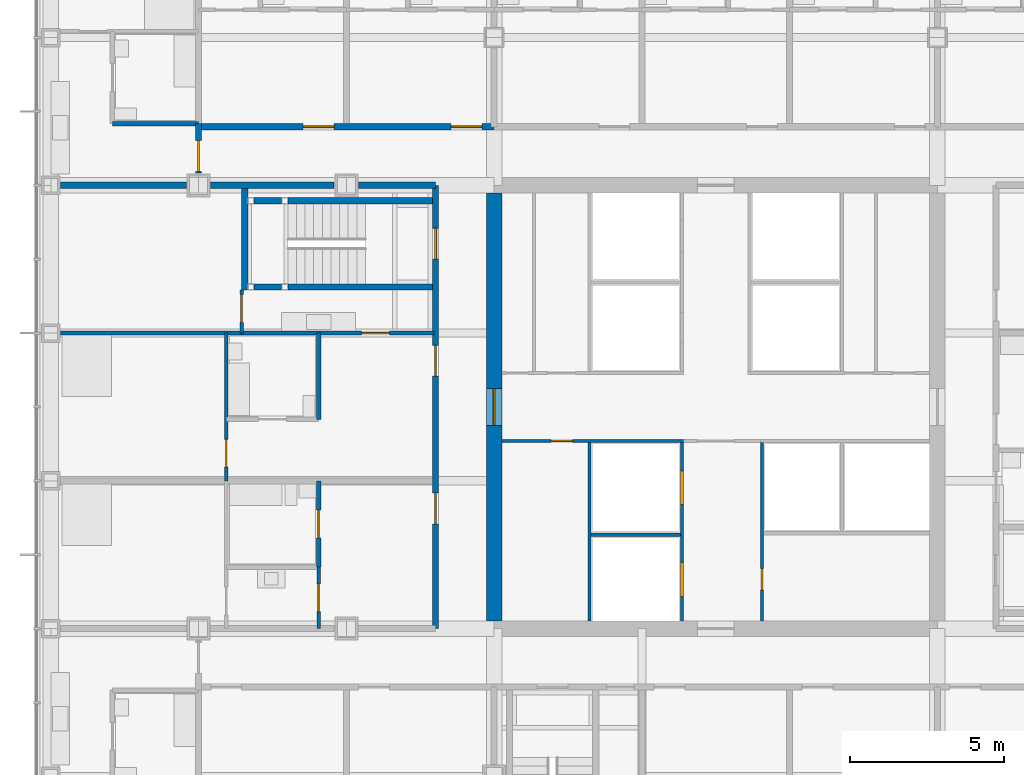
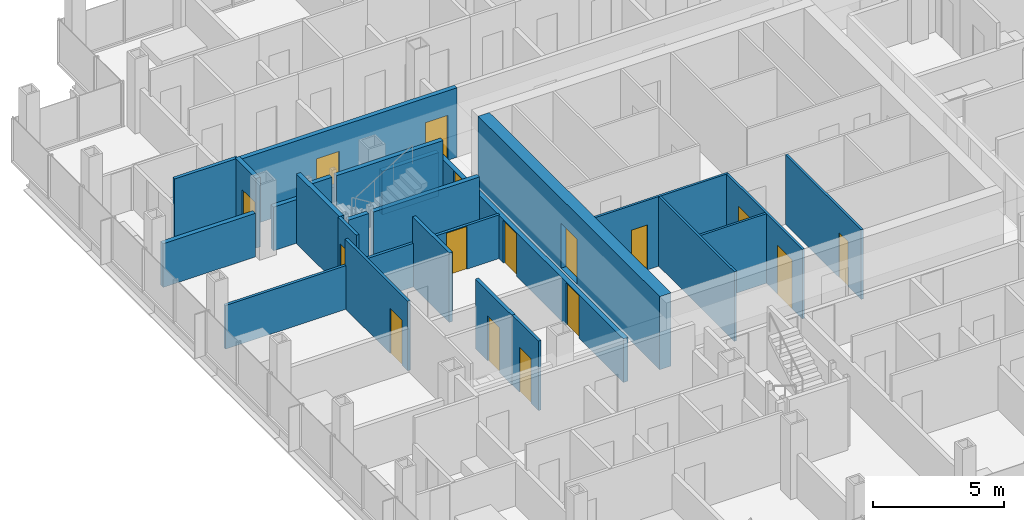
# One storey, part 15 of 22: 25 walls, 16 doors, 16 openings.
"""IFC4 building model written with IfcOpenShell, lengths in metres."""

from ifc_helpers import new_model, si_unit, direction, frame, frame_2d, origin, place, context, subcontext, project, spatial, rectangle, extrude, material, layer, layer_set, type_object, element, fill, save


model = new_model("IFC4")

# Units and contexts
model_context = context("Model", 3, precision=1e-05, world=origin(), true_north=direction((0.0, 1.0)))
body_context = subcontext(model_context, "Body", "Model", "MODEL_VIEW")
ifc_project = project(units=[si_unit("LENGTHUNIT", "METRE"), si_unit("AREAUNIT", "SQUARE_METRE"), si_unit("VOLUMEUNIT", "CUBIC_METRE"), si_unit("PLANEANGLEUNIT", "RADIAN"), si_unit("MASSUNIT", "GRAM", prefix="KILO")], contexts=[model_context])

# Site, building, storey
site_placement = place(None, origin())
site = spatial("IfcSite", under=ifc_project, at=site_placement, CompositionType="ELEMENT")
building_placement = place(site_placement, origin())
building = spatial("IfcBuilding", under=site, at=building_placement, Name="Kvirike Care Tower", CompositionType="ELEMENT")
storey_placement = place(building_placement, frame((0.0, 0.0, 76.0)))
storey = spatial("IfcBuildingStorey", under=building, at=storey_placement, Name="L20", CompositionType="ELEMENT", Elevation=76.0)

# Wall
ifc_material_1 = material(Name="Moisture-resistant board partition", Category="gypsum")
ifc_layer_1 = layer(ifc_material_1, 0.14990234375)
ifc_layer_set_1 = layer_set([ifc_layer_1], Name="BATHROOM WALL 150")
wall_type_1 = type_object("IfcWallType", Name="BATHROOM WALL 150", PredefinedType="PARTITIONING", material=ifc_layer_set_1)
wall_1_placement = place(storey_placement, frame((8.699951171875, 38.39990234375, 0.0), z_axis=(0.0, 0.0, 1.0), x_axis=(0.0, -1.0, 0.0)))
element("IfcWall", 1, at=wall_1_placement, inside=storey, type_object=wall_type_1, Name="Bathroom Wall 150 L20", PredefinedType="PARTITIONING", context=body_context, shape_type="SweptSolid", body=[
    extrude(rectangle(XDim=2.7998046875, YDim=0.14990234375, at=frame_2d((1.39990234375, 0.0))), origin(), (0.0, 0.0, 1.0), 3.25),
])

# Wall, opening, door
wall_2_placement = place(storey_placement, frame((8.699951171875, 33.60009765625, 0.0), z_axis=(0.0, 0.0, 1.0), x_axis=(0.0, -1.0, 0.0)))
wall_2 = element("IfcWall", 2, at=wall_2_placement, inside=storey, type_object=wall_type_1, Name="Bathroom Wall 150 L20", PredefinedType="PARTITIONING", context=body_context, shape_type="SweptSolid", body=[
    extrude(rectangle(XDim=2.800048828125, YDim=0.14990234375, at=frame_2d((1.39990234375, 0.0))), origin(), (0.0, 0.0, 1.0), 3.25),
])
opening_1_placement = place(wall_2_placement, frame((0.949951171875, 0.0, 0.0)))
opening_1 = element("IfcOpeningElement", 3, at=opening_1_placement, cuts=wall_2, Name="Opening 20-016", PredefinedType="OPENING", context=body_context, shape_type="SweptSolid", body=[
    extrude(rectangle(XDim=0.89990234375, YDim=2.10009765625, at=frame_2d((0.449951171875, 1.050048828125))), frame((0.0, 0.08544921875, 0.0), z_axis=(0.0, -1.0, 0.0), x_axis=(1.0, 0.0, 0.0)), (0.0, 0.0, 1.0), 0.1708984375),
])
ifc_material_2 = material(Name="Timber door set", Category="wood")
door_type_1 = type_object("IfcDoorType", Name="BATHROOM DOOR 900", OperationType="SINGLE_SWING_RIGHT", PredefinedType="DOOR", material=ifc_material_2)
door_1_placement = place(opening_1_placement, frame((0.89990234375, 0.0, 0.0), z_axis=(0.0, 0.0, 1.0), x_axis=(-1.0, 0.0, 0.0)))
door_1 = element("IfcDoor", 4, at=door_1_placement, inside=storey, type_object=door_type_1, Name="Bathroom door", OperationType="SINGLE_SWING_RIGHT", OverallHeight=2.10009765625, OverallWidth=0.89990234375, PredefinedType="DOOR", context=body_context, shape_type="SweptSolid", body=[
    extrude(rectangle(XDim=0.89990234375, YDim=2.10009765625, at=frame_2d((0.449951171875, 1.050048828125))), frame((0.0, 0.02197265625, 0.0), z_axis=(0.0, -1.0, 0.0), x_axis=(1.0, 0.0, 0.0)), (0.0, 0.0, 1.0), 0.0439453125),
])
fill(opening_1, door_1)

# Wall
wall_3_placement = place(storey_placement, frame((4.800048828125, 45.199951171875, 0.0), z_axis=(0.0, 0.0, 1.0), x_axis=(-1.0, 0.0, 0.0)))
element("IfcWall", 5, at=wall_3_placement, inside=storey, type_object=wall_type_1, Name="Bathroom Wall 150 L20", PredefinedType="PARTITIONING", context=body_context, shape_type="SweptSolid", body=[
    extrude(rectangle(XDim=2.800048828125, YDim=0.14990234375, at=frame_2d((1.39990234375, 0.0))), origin(), (0.0, 0.0, 1.0), 3.25),
])

# Wall, opening, door
ifc_material_3 = material(Name="Concrete C60/75", Category="concrete")
ifc_layer_2 = layer(ifc_material_3, 0.5)
ifc_layer_set_2 = layer_set([ifc_layer_2], Name="CORE WALL 500 C60-75")
wall_type_2 = type_object("IfcWallType", Name="CORE WALL 500 C60-75", PredefinedType="SHEAR", material=ifc_layer_set_2)
wall_4_placement = place(storey_placement, frame((14.39990234375, 42.949951171875, -0.169921875), z_axis=(0.0, 0.0, 1.0), x_axis=(0.0, -1.0, 0.0)))
wall_4 = element("IfcWall", 6, at=wall_4_placement, inside=storey, type_object=wall_type_2, Name="Core wall W L20", PredefinedType="SHEAR", context=body_context, shape_type="SweptSolid", body=[
    extrude(rectangle(XDim=13.89990234375, YDim=0.5, at=frame_2d((6.949951171875, 0.0))), origin(), (0.0, 0.0, 1.0), 3.419921875),
])
opening_2_placement = place(wall_4_placement, frame((6.35009765625, 0.0, 0.169921875)))
opening_2 = element("IfcOpeningElement", 7, at=opening_2_placement, cuts=wall_4, Name="Opening 20-099", PredefinedType="OPENING", context=body_context, shape_type="SweptSolid", body=[
    extrude(rectangle(XDim=1.199951171875, YDim=2.10009765625, at=frame_2d((0.60009765625, 1.050048828125))), frame((0.0, 0.260498046875, 0.0), z_axis=(0.0, -1.0, 0.0), x_axis=(1.0, 0.0, 0.0)), (0.0, 0.0, 1.0), 0.52099609375),
])
ifc_material_4 = material(Name="Timber door set", Category="wood")
door_type_2 = type_object("IfcDoorType", Name="CORE DOOR 1200", OperationType="SINGLE_SWING_LEFT", PredefinedType="DOOR", material=ifc_material_4)
door_2_placement = place(opening_2_placement, origin())
door_2 = element("IfcDoor", 8, at=door_2_placement, inside=storey, type_object=door_type_2, Name="Core door W L20", OperationType="SINGLE_SWING_LEFT", OverallHeight=2.10009765625, OverallWidth=1.199951171875, PredefinedType="DOOR", context=body_context, shape_type="SweptSolid", body=[
    extrude(rectangle(XDim=1.199951171875, YDim=2.10009765625, at=frame_2d((0.60009765625, 1.050048828125))), frame((0.0, 0.02685546875, 0.0), z_axis=(0.0, -1.0, 0.0), x_axis=(1.0, 0.0, 0.0)), (0.0, 0.0, 1.0), 0.053955078125),
])
fill(opening_2, door_2)

# Wall, openings, doors
ifc_material_5 = material(Name="Plasterboard corridor wall", Category="gypsum")
ifc_layer_3 = layer(ifc_material_5, 0.199951171875)
ifc_layer_set_3 = layer_set([ifc_layer_3], Name="CORRIDOR WALL 200")
wall_type_3 = type_object("IfcWallType", Name="CORRIDOR WALL 200", PredefinedType="PARTITIONING", material=ifc_layer_set_3)
wall_5_placement = place(storey_placement, frame((12.5, 43.199951171875, 0.0), z_axis=(0.0, 0.0, 1.0), x_axis=(0.0, -1.0, 0.0)))
wall_5 = element("IfcWall", 9, at=wall_5_placement, inside=storey, type_object=wall_type_3, Name="Corridor Wall 200 L20", PredefinedType="PARTITIONING", context=body_context, shape_type="SweptSolid", body=[
    extrude(rectangle(XDim=14.39990234375, YDim=0.199951171875, at=frame_2d((7.199951171875, 0.0))), origin(), (0.0, 0.0, 1.0), 2.0400390625),
])
opening_3_placement = place(wall_5_placement, frame((1.39990234375, 0.0, 0.0)))
opening_3 = element("IfcOpeningElement", 10, at=opening_3_placement, cuts=wall_5, Name="Opening 20-019", PredefinedType="OPENING", context=body_context, shape_type="SweptSolid", body=[
    extrude(rectangle(XDim=1.0, YDim=2.0, at=frame_2d((0.5, 1.0))), frame((0.0, 0.110595703125, 0.0), z_axis=(0.0, -1.0, 0.0), x_axis=(1.0, 0.0, 0.0)), (0.0, 0.0, 1.0), 0.220947265625),
])
opening_4_placement = place(wall_5_placement, frame((5.199951171875, 0.0, 0.0)))
opening_4 = element("IfcOpeningElement", 11, at=opening_4_placement, cuts=wall_5, Name="Opening 20-020", PredefinedType="OPENING", context=body_context, shape_type="SweptSolid", body=[
    extrude(rectangle(XDim=1.0, YDim=2.0, at=frame_2d((0.5, 1.0))), frame((0.0, 0.110595703125, 0.0), z_axis=(0.0, -1.0, 0.0), x_axis=(1.0, 0.0, 0.0)), (0.0, 0.0, 1.0), 0.220947265625),
])
opening_5_placement = place(wall_5_placement, frame((10.0, 0.0, 0.0)))
opening_5 = element("IfcOpeningElement", 12, at=opening_5_placement, cuts=wall_5, Name="Opening 20-021", PredefinedType="OPENING", context=body_context, shape_type="SweptSolid", body=[
    extrude(rectangle(XDim=1.0, YDim=2.0, at=frame_2d((0.5, 1.0))), frame((0.0, 0.110595703125, 0.0), z_axis=(0.0, -1.0, 0.0), x_axis=(1.0, 0.0, 0.0)), (0.0, 0.0, 1.0), 0.220947265625),
])
ifc_material_6 = material(Name="Timber door set", Category="wood")
door_type_3 = type_object("IfcDoorType", Name="FLAT ENTRANCE DOOR 1000 x 2000", OperationType="SINGLE_SWING_LEFT", PredefinedType="DOOR", material=ifc_material_6)
door_3_placement = place(opening_4_placement, frame((1.0, 0.0, 0.0), z_axis=(0.0, 0.0, 1.0), x_axis=(-1.0, 0.0, 0.0)))
door_3 = element("IfcDoor", 13, at=door_3_placement, inside=storey, type_object=door_type_3, Name="One-bedroom apartment entrance", OperationType="SINGLE_SWING_LEFT", OverallHeight=2.0, OverallWidth=1.0, PredefinedType="DOOR", context=body_context, shape_type="SweptSolid", body=[
    extrude(rectangle(XDim=1.0, YDim=2.0, at=frame_2d((0.5, 1.0))), frame((0.0, 0.02685546875, 0.0), z_axis=(0.0, -1.0, 0.0), x_axis=(1.0, 0.0, 0.0)), (0.0, 0.0, 1.0), 0.053955078125),
])
fill(opening_4, door_3)
door_4_placement = place(opening_5_placement, frame((1.0, 0.0, 0.0), z_axis=(0.0, 0.0, 1.0), x_axis=(-1.0, 0.0, 0.0)))
door_4 = element("IfcDoor", 14, at=door_4_placement, inside=storey, type_object=door_type_3, Name="Studio apartment entrance", OperationType="SINGLE_SWING_LEFT", OverallHeight=2.0, OverallWidth=1.0, PredefinedType="DOOR", context=body_context, shape_type="SweptSolid", body=[
    extrude(rectangle(XDim=1.0, YDim=2.0, at=frame_2d((0.5, 1.0))), frame((0.0, 0.02685546875, 0.0), z_axis=(0.0, -1.0, 0.0), x_axis=(1.0, 0.0, 0.0)), (0.0, 0.0, 1.0), 0.053955078125),
])
fill(opening_5, door_4)
ifc_material_7 = material(Name="Timber door set", Category="wood")
door_type_4 = type_object("IfcDoorType", Name="STAIR DOOR 1000 x 2000", OperationType="SINGLE_SWING_LEFT", PredefinedType="DOOR", material=ifc_material_7)
door_5_placement = place(opening_3_placement, frame((1.0, 0.0, 0.0), z_axis=(0.0, 0.0, 1.0), x_axis=(-1.0, 0.0, 0.0)))
door_5 = element("IfcDoor", 15, at=door_5_placement, inside=storey, type_object=door_type_4, Name="Stair 1 door", OperationType="SINGLE_SWING_RIGHT", OverallHeight=2.0, OverallWidth=1.0, PredefinedType="DOOR", context=body_context, shape_type="SweptSolid", body=[
    extrude(rectangle(XDim=1.0, YDim=2.0, at=frame_2d((0.5, 1.0))), frame((0.0, 0.031982421875, 0.0), z_axis=(0.0, -1.0, 0.0), x_axis=(1.0, 0.0, 0.0)), (0.0, 0.0, 1.0), 0.06396484375),
])
fill(opening_3, door_5)

wall_6_placement = place(storey_placement, frame((14.39990234375, 45.10009765625, 0.0), z_axis=(0.0, 0.0, 1.0), x_axis=(-1.0, 0.0, 0.0)))
wall_6 = element("IfcWall", 16, at=wall_6_placement, inside=storey, type_object=wall_type_3, Name="Corridor Wall 200 L20", PredefinedType="PARTITIONING", context=body_context, shape_type="SweptSolid", body=[
    extrude(rectangle(XDim=9.599853515625, YDim=0.199951171875, at=frame_2d((4.7998046875, 0.0))), origin(), (0.0, 0.0, 1.0), 3.25),
])
opening_6_placement = place(wall_6_placement, frame((0.39990234375, 0.0, 0.0)))
opening_6 = element("IfcOpeningElement", 17, at=opening_6_placement, cuts=wall_6, Name="Opening 20-030", PredefinedType="OPENING", context=body_context, shape_type="SweptSolid", body=[
    extrude(rectangle(XDim=1.0, YDim=2.10009765625, at=frame_2d((0.5, 1.050048828125))), frame((0.0, 0.110595703125, 0.0), z_axis=(0.0, -1.0, 0.0), x_axis=(1.0, 0.0, 0.0)), (0.0, 0.0, 1.0), 0.220947265625),
])
opening_7_placement = place(wall_6_placement, frame((5.199951171875, 0.0, 0.0)))
opening_7 = element("IfcOpeningElement", 18, at=opening_7_placement, cuts=wall_6, Name="Opening 20-031", PredefinedType="OPENING", context=body_context, shape_type="SweptSolid", body=[
    extrude(rectangle(XDim=1.0, YDim=2.10009765625, at=frame_2d((0.5, 1.050048828125))), frame((0.0, 0.110595703125, 0.0), z_axis=(0.0, -1.0, 0.0), x_axis=(1.0, 0.0, 0.0)), (0.0, 0.0, 1.0), 0.220947265625),
])
ifc_material_8 = material(Name="Timber door set", Category="wood")
door_type_5 = type_object("IfcDoorType", Name="FLAT ENTRANCE DOOR 1000", OperationType="SINGLE_SWING_LEFT", PredefinedType="DOOR", material=ifc_material_8)
door_6_placement = place(opening_6_placement, frame((1.0, 0.0, 0.0), z_axis=(0.0, 0.0, 1.0), x_axis=(-1.0, 0.0, 0.0)))
door_6 = element("IfcDoor", 19, at=door_6_placement, inside=storey, type_object=door_type_5, Name="Studio apartment entrance", OperationType="SINGLE_SWING_LEFT", OverallHeight=2.10009765625, OverallWidth=1.0, PredefinedType="DOOR", context=body_context, shape_type="SweptSolid", body=[
    extrude(rectangle(XDim=1.0, YDim=2.10009765625, at=frame_2d((0.5, 1.050048828125))), frame((0.0, 0.02685546875, 0.0), z_axis=(0.0, -1.0, 0.0), x_axis=(1.0, 0.0, 0.0)), (0.0, 0.0, 1.0), 0.053955078125),
])
fill(opening_6, door_6)
door_7_placement = place(opening_7_placement, frame((1.0, 0.0, 0.0), z_axis=(0.0, 0.0, 1.0), x_axis=(-1.0, 0.0, 0.0)))
door_7 = element("IfcDoor", 20, at=door_7_placement, inside=storey, type_object=door_type_5, Name="Studio apartment entrance", OperationType="SINGLE_SWING_LEFT", OverallHeight=2.10009765625, OverallWidth=1.0, PredefinedType="DOOR", context=body_context, shape_type="SweptSolid", body=[
    extrude(rectangle(XDim=1.0, YDim=2.10009765625, at=frame_2d((0.5, 1.050048828125))), frame((0.0, 0.02685546875, 0.0), z_axis=(0.0, -1.0, 0.0), x_axis=(1.0, 0.0, 0.0)), (0.0, 0.0, 1.0), 0.053955078125),
])
fill(opening_7, door_7)

# Wall, opening, door
wall_7_placement = place(storey_placement, frame((4.800048828125, 45.199951171875, 0.0), z_axis=(0.0, 0.0, 1.0), x_axis=(0.0, -1.0, 0.0)))
wall_7 = element("IfcWall", 21, at=wall_7_placement, inside=storey, type_object=wall_type_3, Name="Corridor Wall 200 L20", PredefinedType="PARTITIONING", context=body_context, shape_type="SweptSolid", body=[
    extrude(rectangle(XDim=1.60498046875, YDim=0.199951171875, at=frame_2d((0.802490234375, 0.0))), origin(), (0.0, 0.0, 1.0), 3.25),
])
opening_8_placement = place(wall_7_placement, frame((0.550048828125, 0.0, 0.0)))
opening_8 = element("IfcOpeningElement", 22, at=opening_8_placement, cuts=wall_7, Name="Opening 20-032", PredefinedType="OPENING", context=body_context, shape_type="SweptSolid", body=[
    extrude(rectangle(XDim=1.0, YDim=2.10009765625, at=frame_2d((0.5, 1.050048828125))), frame((0.0, 0.110595703125, 0.0), z_axis=(0.0, -1.0, 0.0), x_axis=(1.0, 0.0, 0.0)), (0.0, 0.0, 1.0), 0.220947265625),
])
door_8_placement = place(opening_8_placement, frame((1.0, 0.0, 0.0), z_axis=(0.0, 0.0, 1.0), x_axis=(-1.0, 0.0, 0.0)))
door_8 = element("IfcDoor", 23, at=door_8_placement, inside=storey, type_object=door_type_5, Name="Studio apartment entrance", OperationType="SINGLE_SWING_RIGHT", OverallHeight=2.10009765625, OverallWidth=1.0, PredefinedType="DOOR", context=body_context, shape_type="SweptSolid", body=[
    extrude(rectangle(XDim=1.0, YDim=2.10009765625, at=frame_2d((0.5, 1.050048828125))), frame((0.0, 0.02685546875, 0.0), z_axis=(0.0, -1.0, 0.0), x_axis=(1.0, 0.0, 0.0)), (0.0, 0.0, 1.0), 0.053955078125),
])
fill(opening_8, door_8)

ifc_material_9 = material(Name="Plasterboard partition", Category="gypsum")
ifc_layer_4 = layer(ifc_material_9, 0.1201171875)
ifc_layer_set_4 = layer_set([ifc_layer_4], Name="PARTITION 120")
wall_type_4 = type_object("IfcWallType", Name="PARTITION 120", PredefinedType="PARTITIONING", material=ifc_layer_set_4)
wall_8_placement = place(storey_placement, frame((6.199951171875, 38.39990234375, 0.0), z_axis=(0.0, 0.0, 1.0), x_axis=(1.0, 0.0, 0.0)))
wall_8 = element("IfcWall", 24, at=wall_8_placement, inside=storey, type_object=wall_type_4, Name="Partition 120 L20", PredefinedType="PARTITIONING", context=body_context, shape_type="SweptSolid", body=[
    extrude(rectangle(XDim=6.25, YDim=0.1201171875, at=frame_2d((3.125, 0.0))), origin(), (0.0, 0.0, 1.0), 2.0400390625),
])
opening_9_placement = place(wall_8_placement, frame((3.89990234375, 0.0, 0.0)))
opening_9 = element("IfcOpeningElement", 25, at=opening_9_placement, cuts=wall_8, Name="Opening 20-013", PredefinedType="OPENING", context=body_context, shape_type="SweptSolid", body=[
    extrude(rectangle(XDim=0.89990234375, YDim=2.0, at=frame_2d((0.449951171875, 1.0))), frame((0.0, 0.070556640625, 0.0), z_axis=(0.0, -1.0, 0.0), x_axis=(1.0, 0.0, 0.0)), (0.0, 0.0, 1.0), 0.14111328125),
])
ifc_material_10 = material(Name="Timber door set", Category="wood")
door_type_6 = type_object("IfcDoorType", Name="INTERNAL DOOR 900 x 2000", OperationType="SINGLE_SWING_LEFT", PredefinedType="DOOR", material=ifc_material_10)
door_9_placement = place(opening_9_placement, origin())
door_9 = element("IfcDoor", 26, at=door_9_placement, inside=storey, type_object=door_type_6, Name="Hall door", OperationType="SINGLE_SWING_LEFT", OverallHeight=2.0, OverallWidth=0.89990234375, PredefinedType="DOOR", context=body_context, shape_type="SweptSolid", body=[
    extrude(rectangle(XDim=0.89990234375, YDim=2.0, at=frame_2d((0.449951171875, 1.0))), frame((0.0, 0.02197265625, 0.0), z_axis=(0.0, -1.0, 0.0), x_axis=(1.0, 0.0, 0.0)), (0.0, 0.0, 1.0), 0.0439453125),
])
fill(opening_9, door_9)

wall_9_placement = place(storey_placement, frame((6.199951171875, 39.800048828125, 0.0), z_axis=(0.0, 0.0, 1.0), x_axis=(0.0, -1.0, 0.0)))
wall_9 = element("IfcWall", 27, at=wall_9_placement, inside=storey, type_object=wall_type_4, Name="Partition 120 L20", PredefinedType="PARTITIONING", context=body_context, shape_type="SweptSolid", body=[
    extrude(rectangle(XDim=1.400146484375, YDim=0.1201171875, at=frame_2d((0.7001953125, 0.0))), origin(), (0.0, 0.0, 1.0), 3.25),
])
opening_10_placement = place(wall_9_placement, frame((0.14990234375, 0.0, 0.0)))
opening_10 = element("IfcOpeningElement", 28, at=opening_10_placement, cuts=wall_9, Name="Opening 20-014", PredefinedType="OPENING", context=body_context, shape_type="SweptSolid", body=[
    extrude(rectangle(XDim=0.89990234375, YDim=2.10009765625, at=frame_2d((0.449951171875, 1.050048828125))), frame((0.0, 0.070556640625, 0.0), z_axis=(0.0, -1.0, 0.0), x_axis=(1.0, 0.0, 0.0)), (0.0, 0.0, 1.0), 0.14111328125),
])
ifc_material_11 = material(Name="Timber door set", Category="wood")
door_type_7 = type_object("IfcDoorType", Name="INTERNAL DOOR 900", OperationType="SINGLE_SWING_LEFT", PredefinedType="DOOR", material=ifc_material_11)
door_10_placement = place(opening_10_placement, origin())
door_10 = element("IfcDoor", 29, at=door_10_placement, inside=storey, type_object=door_type_7, Name="Apartment living room door", OperationType="SINGLE_SWING_RIGHT", OverallHeight=2.10009765625, OverallWidth=0.89990234375, PredefinedType="DOOR", context=body_context, shape_type="SweptSolid", body=[
    extrude(rectangle(XDim=0.89990234375, YDim=2.10009765625, at=frame_2d((0.449951171875, 1.050048828125))), frame((0.0, 0.02197265625, 0.0), z_axis=(0.0, -1.0, 0.0), x_axis=(1.0, 0.0, 0.0)), (0.0, 0.0, 1.0), 0.0439453125),
])
fill(opening_10, door_10)

wall_10_placement = place(storey_placement, frame((5.699951171875, 38.39990234375, 0.0), z_axis=(0.0, 0.0, 1.0), x_axis=(0.0, -1.0, 0.0)))
wall_10 = element("IfcWall", 30, at=wall_10_placement, inside=storey, type_object=wall_type_4, Name="Partition 120 L20", PredefinedType="PARTITIONING", context=body_context, shape_type="SweptSolid", body=[
    extrude(rectangle(XDim=4.7998046875, YDim=0.1201171875, at=frame_2d((2.39990234375, 0.0))), origin(), (0.0, 0.0, 1.0), 3.25),
])
opening_11_placement = place(wall_10_placement, frame((3.449951171875, 0.0, 0.0)))
opening_11 = element("IfcOpeningElement", 31, at=opening_11_placement, cuts=wall_10, Name="Opening 20-015", PredefinedType="OPENING", context=body_context, shape_type="SweptSolid", body=[
    extrude(rectangle(XDim=0.89990234375, YDim=2.10009765625, at=frame_2d((0.449951171875, 1.050048828125))), frame((0.0, 0.070556640625, 0.0), z_axis=(0.0, -1.0, 0.0), x_axis=(1.0, 0.0, 0.0)), (0.0, 0.0, 1.0), 0.14111328125),
])
door_11_placement = place(opening_11_placement, origin())
door_11 = element("IfcDoor", 32, at=door_11_placement, inside=storey, type_object=door_type_7, Name="Apartment bedroom door", OperationType="SINGLE_SWING_LEFT", OverallHeight=2.10009765625, OverallWidth=0.89990234375, PredefinedType="DOOR", context=body_context, shape_type="SweptSolid", body=[
    extrude(rectangle(XDim=0.89990234375, YDim=2.10009765625, at=frame_2d((0.449951171875, 1.050048828125))), frame((0.0, 0.02197265625, 0.0), z_axis=(0.0, -1.0, 0.0), x_axis=(1.0, 0.0, 0.0)), (0.0, 0.0, 1.0), 0.0439453125),
])
fill(opening_11, door_11)

# Wall
wall_11_placement = place(storey_placement, frame((0.320068359375, 38.39990234375, 0.0), z_axis=(0.0, 0.0, 1.0), x_axis=(1.0, 0.0, 0.0)))
element("IfcWall", 33, at=wall_11_placement, inside=storey, type_object=wall_type_4, Name="Partition 120 L20", PredefinedType="PARTITIONING", context=body_context, shape_type="SweptSolid", body=[
    extrude(rectangle(XDim=5.8798828125, YDim=0.1201171875, at=frame_2d((2.93994140625, 0.0))), origin(), (0.0, 0.0, 1.0), 2.0400390625),
])

# Wall, opening, door
wall_12_placement = place(storey_placement, frame((8.699951171875, 30.800048828125, 0.0), z_axis=(0.0, 0.0, 1.0), x_axis=(0.0, -1.0, 0.0)))
wall_12 = element("IfcWall", 34, at=wall_12_placement, inside=storey, type_object=wall_type_4, Name="Partition 120 L20", PredefinedType="PARTITIONING", context=body_context, shape_type="SweptSolid", body=[
    extrude(rectangle(XDim=2.0, YDim=0.1201171875, at=frame_2d((1.0, 0.0))), origin(), (0.0, 0.0, 1.0), 3.25),
])
opening_12_placement = place(wall_12_placement, frame((0.550048828125, 0.0, 0.0)))
opening_12 = element("IfcOpeningElement", 35, at=opening_12_placement, cuts=wall_12, Name="Opening 20-017", PredefinedType="OPENING", context=body_context, shape_type="SweptSolid", body=[
    extrude(rectangle(XDim=0.89990234375, YDim=2.10009765625, at=frame_2d((0.449951171875, 1.050048828125))), frame((0.0, 0.070556640625, 0.0), z_axis=(0.0, -1.0, 0.0), x_axis=(1.0, 0.0, 0.0)), (0.0, 0.0, 1.0), 0.14111328125),
])
door_12_placement = place(opening_12_placement, frame((0.89990234375, 0.0, 0.0), z_axis=(0.0, 0.0, 1.0), x_axis=(-1.0, 0.0, 0.0)))
door_12 = element("IfcDoor", 36, at=door_12_placement, inside=storey, type_object=door_type_7, Name="Kitchen door", OperationType="SINGLE_SWING_RIGHT", OverallHeight=2.10009765625, OverallWidth=0.89990234375, PredefinedType="DOOR", context=body_context, shape_type="SweptSolid", body=[
    extrude(rectangle(XDim=0.89990234375, YDim=2.10009765625, at=frame_2d((0.449951171875, 1.050048828125))), frame((0.0, 0.02197265625, 0.0), z_axis=(0.0, -1.0, 0.0), x_axis=(1.0, 0.0, 0.0)), (0.0, 0.0, 1.0), 0.0439453125),
])
fill(opening_12, door_12)

# Walls
ifc_material_12 = material(Name="Plasterboard party wall", Category="gypsum")
ifc_layer_5 = layer(ifc_material_12, 0.199951171875)
ifc_layer_set_5 = layer_set([ifc_layer_5], Name="PARTY WALL 200")
wall_type_5 = type_object("IfcWallType", Name="PARTY WALL 200", PredefinedType="PARTITIONING", material=ifc_layer_set_5)
wall_13_placement = place(storey_placement, frame((12.5, 43.199951171875, 0.0), z_axis=(0.0, 0.0, 1.0), x_axis=(-1.0, 0.0, 0.0)))
element("IfcWall", 37, at=wall_13_placement, inside=storey, type_object=wall_type_5, Name="Party Wall 200 L20", PredefinedType="PARTITIONING", context=body_context, shape_type="SweptSolid", body=[
    extrude(rectangle(XDim=2.5048828125, YDim=0.199951171875, at=frame_2d((1.25244140625, 0.0))), origin(), (0.0, 0.0, 1.0), 2.0400390625),
])
wall_14_placement = place(storey_placement, frame((9.205078125, 43.199951171875, 0.0), z_axis=(0.0, 0.0, 1.0), x_axis=(-1.0, 0.0, 0.0)))
element("IfcWall", 38, at=wall_14_placement, inside=storey, type_object=wall_type_5, Name="Party Wall 200 L20", PredefinedType="PARTITIONING", context=body_context, shape_type="SweptSolid", body=[
    extrude(rectangle(XDim=4.010009765625, YDim=0.199951171875, at=frame_2d((2.0048828125, 0.0))), origin(), (0.0, 0.0, 1.0), 2.0400390625),
])
wall_15_placement = place(storey_placement, frame((4.405029296875, 43.199951171875, 0.0), z_axis=(0.0, 0.0, 1.0), x_axis=(-1.0, 0.0, 0.0)))
element("IfcWall", 39, at=wall_15_placement, inside=storey, type_object=wall_type_5, Name="Party Wall 200 L20", PredefinedType="PARTITIONING", context=body_context, shape_type="SweptSolid", body=[
    extrude(rectangle(XDim=4.0849609375, YDim=0.199951171875, at=frame_2d((2.04248046875, 0.0))), origin(), (0.0, 0.0, 1.0), 2.0400390625),
])

# Wall, openings, doors
ifc_material_13 = material(Name="Gypsum shaft wall system", Category="gypsum")
ifc_layer_6 = layer(ifc_material_13, 0.10009765625)
ifc_layer_set_6 = layer_set([ifc_layer_6], Name="SHAFT WALL 100")
wall_type_6 = type_object("IfcWallType", Name="SHAFT WALL 100", PredefinedType="SOLIDWALL", material=ifc_layer_set_6)
wall_16_placement = place(storey_placement, frame((20.5, 29.050048828125, 0.0), z_axis=(0.0, 0.0, 1.0), x_axis=(0.0, 1.0, 0.0)))
wall_16 = element("IfcWall", 40, at=wall_16_placement, inside=storey, type_object=wall_type_6, Name="Shaft Wall 100 L20", PredefinedType="SOLIDWALL", context=body_context, shape_type="SweptSolid", body=[
    extrude(rectangle(XDim=5.800048828125, YDim=0.10009765625, at=frame_2d((2.89990234375, 0.0))), origin(), (0.0, 0.0, 1.0), 3.25),
])
opening_13_placement = place(wall_16_placement, frame((0.800048828125, 0.0, 0.0)))
opening_13 = element("IfcOpeningElement", 41, at=opening_13_placement, cuts=wall_16, Name="Opening 20-087", PredefinedType="OPENING", context=body_context, shape_type="SweptSolid", body=[
    extrude(rectangle(XDim=1.10009765625, YDim=2.300048828125, at=frame_2d((0.550048828125, 1.14990234375))), frame((0.0, 0.060546875, 0.0), z_axis=(0.0, -1.0, 0.0), x_axis=(1.0, 0.0, 0.0)), (0.0, 0.0, 1.0), 0.12109375),
])
opening_14_placement = place(wall_16_placement, frame((3.77490234375, 0.0, 0.0)))
opening_14 = element("IfcOpeningElement", 42, at=opening_14_placement, cuts=wall_16, Name="Opening 20-088", PredefinedType="OPENING", context=body_context, shape_type="SweptSolid", body=[
    extrude(rectangle(XDim=1.10009765625, YDim=2.300048828125, at=frame_2d((0.550048828125, 1.14990234375))), frame((0.0, 0.060546875, 0.0), z_axis=(0.0, -1.0, 0.0), x_axis=(1.0, 0.0, 0.0)), (0.0, 0.0, 1.0), 0.12109375),
])
ifc_material_14 = material(Name="Aluminium door frame", Category="aluminium")
door_type_8 = type_object("IfcDoorType", Name="FIRE-FIGHTING LIFT LANDING DOOR 1100", OperationType="SLIDING_TO_LEFT", PredefinedType="DOOR", material=ifc_material_14)
door_13_placement = place(opening_13_placement, origin())
door_13 = element("IfcDoor", 43, at=door_13_placement, inside=storey, type_object=door_type_8, Name="Lift FF1 landing door", OperationType="SLIDING_TO_LEFT", OverallHeight=2.300048828125, OverallWidth=1.10009765625, PredefinedType="DOOR", context=body_context, shape_type="SweptSolid", body=[
    extrude(rectangle(XDim=1.10009765625, YDim=2.300048828125, at=frame_2d((0.550048828125, 1.14990234375))), frame((0.0, 0.0498046875, 0.0), z_axis=(0.0, -1.0, 0.0), x_axis=(1.0, 0.0, 0.0)), (0.0, 0.0, 1.0), 0.099609375),
])
fill(opening_13, door_13)
door_14_placement = place(opening_14_placement, origin())
door_14 = element("IfcDoor", 44, at=door_14_placement, inside=storey, type_object=door_type_8, Name="Lift FF2 landing door", OperationType="SLIDING_TO_LEFT", OverallHeight=2.300048828125, OverallWidth=1.10009765625, PredefinedType="DOOR", context=body_context, shape_type="SweptSolid", body=[
    extrude(rectangle(XDim=1.10009765625, YDim=2.300048828125, at=frame_2d((0.550048828125, 1.14990234375))), frame((0.0, 0.0498046875, 0.0), z_axis=(0.0, -1.0, 0.0), x_axis=(1.0, 0.0, 0.0)), (0.0, 0.0, 1.0), 0.099609375),
])
fill(opening_14, door_14)

# Wall, opening, door
wall_17_placement = place(storey_placement, frame((23.10009765625, 29.050048828125, 0.0), z_axis=(0.0, 0.0, 1.0), x_axis=(0.0, 1.0, 0.0)))
wall_17 = element("IfcWall", 45, at=wall_17_placement, inside=storey, type_object=wall_type_6, Name="Shaft Wall 100 L20", PredefinedType="SOLIDWALL", context=body_context, shape_type="SweptSolid", body=[
    extrude(rectangle(XDim=5.800048828125, YDim=0.10009765625, at=frame_2d((2.89990234375, 0.0))), origin(), (0.0, 0.0, 1.0), 3.25),
])
opening_15_placement = place(wall_17_placement, frame((1.0, 0.0, 0.0)))
opening_15 = element("IfcOpeningElement", 46, at=opening_15_placement, cuts=wall_17, Name="Opening 20-091", PredefinedType="OPENING", context=body_context, shape_type="SweptSolid", body=[
    extrude(rectangle(XDim=0.699951171875, YDim=2.10009765625, at=frame_2d((0.35009765625, 1.050048828125))), frame((0.0, 0.060546875, 0.0), z_axis=(0.0, -1.0, 0.0), x_axis=(1.0, 0.0, 0.0)), (0.0, 0.0, 1.0), 0.12109375),
])
ifc_material_15 = material(Name="Timber door set", Category="wood")
door_type_9 = type_object("IfcDoorType", Name="RISER DOOR 700", OperationType="SINGLE_SWING_LEFT", PredefinedType="DOOR", material=ifc_material_15)
door_15_placement = place(opening_15_placement, origin())
door_15 = element("IfcDoor", 47, at=door_15_placement, inside=storey, type_object=door_type_9, Name="Riser door", OperationType="SINGLE_SWING_RIGHT", OverallHeight=2.10009765625, OverallWidth=0.699951171875, PredefinedType="DOOR", context=body_context, shape_type="SweptSolid", body=[
    extrude(rectangle(XDim=0.699951171875, YDim=2.10009765625, at=frame_2d((0.35009765625, 1.050048828125))), frame((0.0, 0.02685546875, 0.0), z_axis=(0.0, -1.0, 0.0), x_axis=(1.0, 0.0, 0.0)), (0.0, 0.0, 1.0), 0.053955078125),
])
fill(opening_15, door_15)

wall_18_placement = place(storey_placement, frame((14.64990234375, 34.89990234375, 0.0), z_axis=(0.0, 0.0, 1.0), x_axis=(1.0, 0.0, 0.0)))
wall_18 = element("IfcWall", 48, at=wall_18_placement, inside=storey, type_object=wall_type_6, Name="Shaft Wall 100 L20", PredefinedType="SOLIDWALL", context=body_context, shape_type="SweptSolid", body=[
    extrude(rectangle(XDim=5.900146484375, YDim=0.10009765625, at=frame_2d((2.9501953125, 0.0))), origin(), (0.0, 0.0, 1.0), 3.25),
])
opening_16_placement = place(wall_18_placement, frame((1.60009765625, 0.0, 0.0)))
opening_16 = element("IfcOpeningElement", 49, at=opening_16_placement, cuts=wall_18, Name="Opening 20-092", PredefinedType="OPENING", context=body_context, shape_type="SweptSolid", body=[
    extrude(rectangle(XDim=0.699951171875, YDim=2.10009765625, at=frame_2d((0.35009765625, 1.050048828125))), frame((0.0, 0.060546875, 0.0), z_axis=(0.0, -1.0, 0.0), x_axis=(1.0, 0.0, 0.0)), (0.0, 0.0, 1.0), 0.12109375),
])
door_16_placement = place(opening_16_placement, frame((0.699951171875, 0.0, 0.0), z_axis=(0.0, 0.0, 1.0), x_axis=(-1.0, 0.0, 0.0)))
door_16 = element("IfcDoor", 50, at=door_16_placement, inside=storey, type_object=door_type_9, Name="Riser door", OperationType="SINGLE_SWING_RIGHT", OverallHeight=2.10009765625, OverallWidth=0.699951171875, PredefinedType="DOOR", context=body_context, shape_type="SweptSolid", body=[
    extrude(rectangle(XDim=0.699951171875, YDim=2.10009765625, at=frame_2d((0.35009765625, 1.050048828125))), frame((0.0, 0.02685546875, 0.0), z_axis=(0.0, -1.0, 0.0), x_axis=(1.0, 0.0, 0.0)), (0.0, 0.0, 1.0), 0.053955078125),
])
fill(opening_16, door_16)

# Walls
wall_19_placement = place(storey_placement, frame((17.5, 29.050048828125, 0.0), z_axis=(0.0, 0.0, 1.0), x_axis=(0.0, 1.0, 0.0)))
element("IfcWall", 51, at=wall_19_placement, inside=storey, type_object=wall_type_6, Name="Shaft Wall 100 L20", PredefinedType="SOLIDWALL", context=body_context, shape_type="SweptSolid", body=[
    extrude(rectangle(XDim=5.800048828125, YDim=0.10009765625, at=frame_2d((2.89990234375, 0.0))), origin(), (0.0, 0.0, 1.0), 3.25),
])
wall_20_placement = place(storey_placement, frame((17.550048828125, 31.85009765625, 0.0), z_axis=(0.0, 0.0, 1.0), x_axis=(1.0, 0.0, 0.0)))
element("IfcWall", 52, at=wall_20_placement, inside=storey, type_object=wall_type_6, Name="Shaft Wall 100 L20", PredefinedType="SOLIDWALL", context=body_context, shape_type="SweptSolid", body=[
    extrude(rectangle(XDim=2.89990234375, YDim=0.10009765625, at=frame_2d((1.449951171875, 0.0))), origin(), (0.0, 0.0, 1.0), 3.25),
])
ifc_material_16 = material(Name="Concrete C40/50", Category="concrete")
ifc_layer_7 = layer(ifc_material_16, 0.199951171875)
ifc_layer_set_7 = layer_set([ifc_layer_7], Name="STAIR WALL 200")
wall_type_7 = type_object("IfcWallType", Name="STAIR WALL 200", PredefinedType="SOLIDWALL", material=ifc_layer_set_7)
wall_21_placement = place(storey_placement, frame((6.60009765625, 42.699951171875, 0.0), z_axis=(0.0, 0.0, 1.0), x_axis=(1.0, 0.0, 0.0)))
element("IfcWall", 53, at=wall_21_placement, inside=storey, type_object=wall_type_7, Name="Stair Wall 200 L20", PredefinedType="SOLIDWALL", context=body_context, shape_type="SweptSolid", body=[
    extrude(rectangle(XDim=0.89990234375, YDim=0.199951171875, at=frame_2d((0.449951171875, 0.0))), origin(), (0.0, 0.0, 1.0), 2.93994140625),
])
wall_22_placement = place(storey_placement, frame((7.699951171875, 42.699951171875, 0.0), z_axis=(0.0, 0.0, 1.0), x_axis=(1.0, 0.0, 0.0)))
element("IfcWall", 54, at=wall_22_placement, inside=storey, type_object=wall_type_7, Name="Stair Wall 200 L20", PredefinedType="SOLIDWALL", context=body_context, shape_type="SweptSolid", body=[
    extrude(rectangle(XDim=4.699951171875, YDim=0.199951171875, at=frame_2d((2.35009765625, 0.0))), origin(), (0.0, 0.0, 1.0), 2.93994140625),
])
wall_23_placement = place(storey_placement, frame((6.60009765625, 39.89990234375, 0.0), z_axis=(0.0, 0.0, 1.0), x_axis=(1.0, 0.0, 0.0)))
element("IfcWall", 55, at=wall_23_placement, inside=storey, type_object=wall_type_7, Name="Stair Wall 200 L20", PredefinedType="SOLIDWALL", context=body_context, shape_type="SweptSolid", body=[
    extrude(rectangle(XDim=0.89990234375, YDim=0.199951171875, at=frame_2d((0.449951171875, 0.0))), origin(), (0.0, 0.0, 1.0), 2.93994140625),
])
wall_24_placement = place(storey_placement, frame((7.699951171875, 39.89990234375, 0.0), z_axis=(0.0, 0.0, 1.0), x_axis=(1.0, 0.0, 0.0)))
element("IfcWall", 56, at=wall_24_placement, inside=storey, type_object=wall_type_7, Name="Stair Wall 200 L20", PredefinedType="SOLIDWALL", context=body_context, shape_type="SweptSolid", body=[
    extrude(rectangle(XDim=4.699951171875, YDim=0.199951171875, at=frame_2d((2.35009765625, 0.0))), origin(), (0.0, 0.0, 1.0), 2.93994140625),
])
wall_25_placement = place(storey_placement, frame((6.300048828125, 43.10009765625, 0.0), z_axis=(0.0, 0.0, 1.0), x_axis=(0.0, -1.0, 0.0)))
element("IfcWall", 57, at=wall_25_placement, inside=storey, type_object=wall_type_7, Name="Stair Wall 200 L20", PredefinedType="SOLIDWALL", context=body_context, shape_type="SweptSolid", body=[
    extrude(rectangle(XDim=3.300048828125, YDim=0.199951171875, at=frame_2d((1.64990234375, 0.0))), origin(), (0.0, 0.0, 1.0), 3.25),
])

save(model, "model.ifc")
